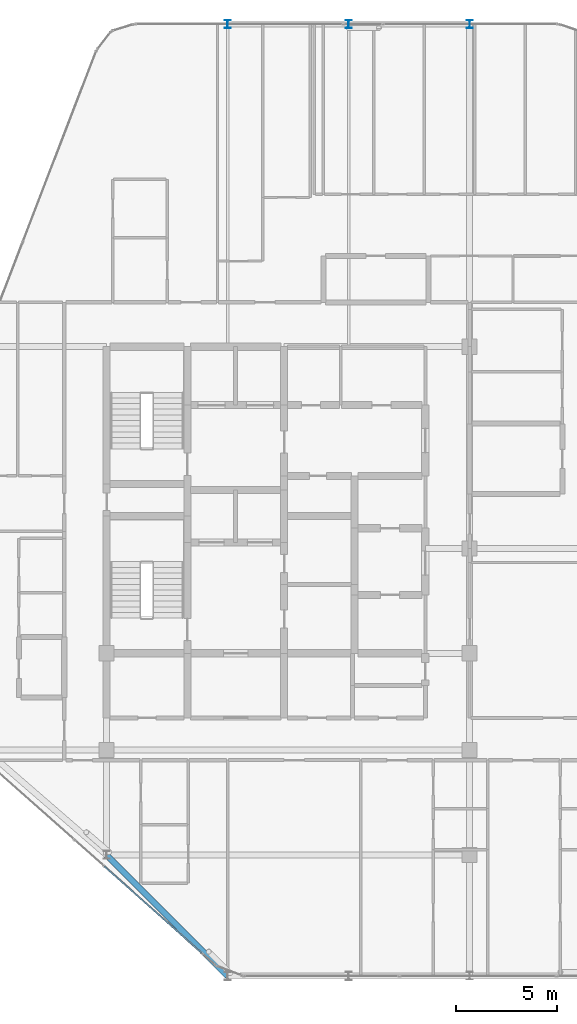
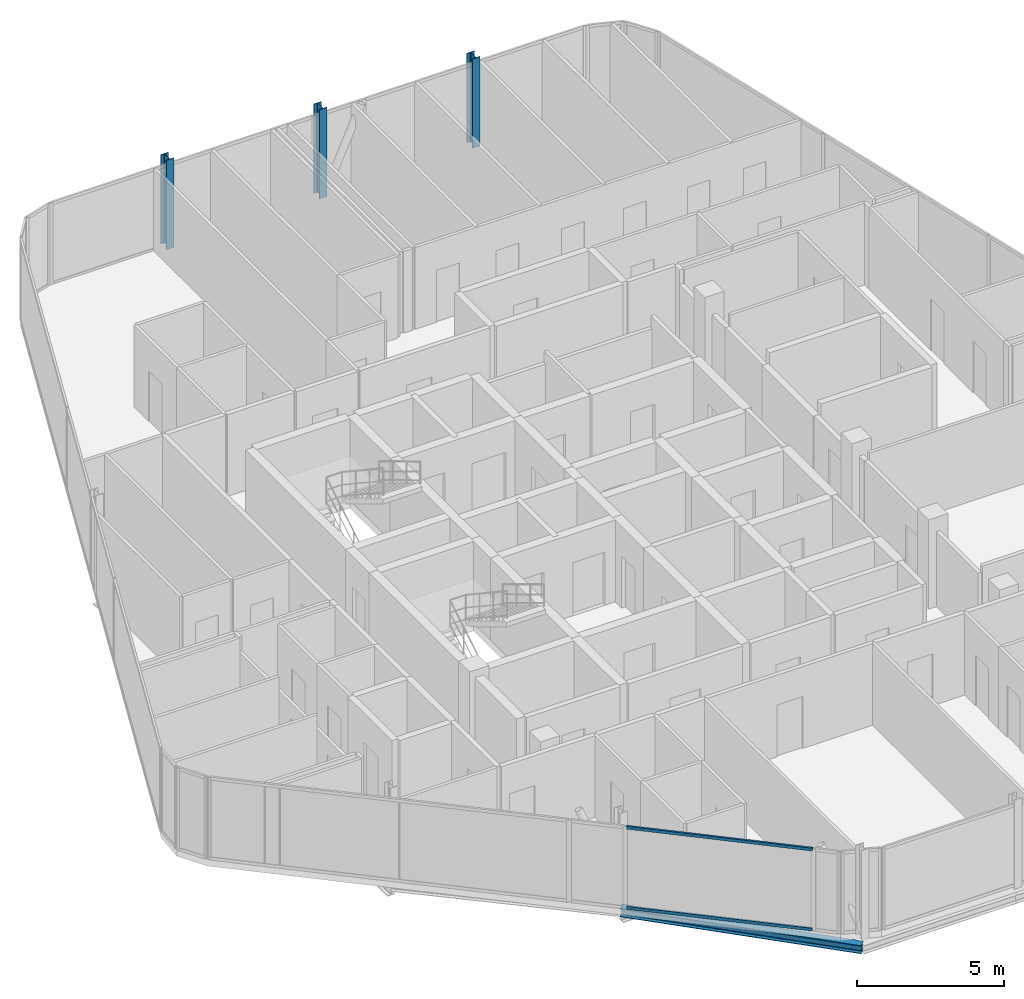
# One storey, part 2 of 31: 3 columns, 2 members, 1 beam, 1 element without a shape of its own.
"""IFC4 building model written with IfcOpenShell, lengths in metres."""

import ifcopenshell
import ifcopenshell.guid

model = None  # the IFC model being written
_history = None  # IfcOwnerHistory: only IFC2X3 demands one
_inside = {}  # id of a spatial element -> (the spatial element, [elements in it])
_under = {}  # id of a project, library or spatial element -> (it, [spatial elements below it])
_declared = {}  # id of a project -> (the project, [libraries it declares])
_typed = {}  # id of a type object -> (the type object, [elements of that type])
_made_of = {}  # id of a material, layer set ... -> (it, [elements and type objects made of it])


def new_model(schema):
    """Start an empty IFC model of exactly this schema.

    Asked for "IFC4X3", IfcOpenShell would pick the latest addendum, in which some entities
    have other attributes; the version numbers below select the first issue.
    IFC2X3 requires an IfcOwnerHistory on every rooted entity: one is made here for all.
    """
    global model, _history
    if schema == "IFC4X3":
        model = ifcopenshell.file(schema_version=(4, 3, 0, 0))
    else:
        model = ifcopenshell.file(schema=schema)
    _inside.clear()
    _under.clear()
    _declared.clear()
    _typed.clear()
    _made_of.clear()
    _history = None
    if model.schema == "IFC2X3":
        org = make("IfcOrganization", Name="unknown")
        user = make(
            "IfcPersonAndOrganization",
            ThePerson=make("IfcPerson", FamilyName="unknown"),
            TheOrganization=org,
        )
        app = make(
            "IfcApplication",
            ApplicationDeveloper=org,
            Version="unknown",
            ApplicationFullName="unknown",
            ApplicationIdentifier="unknown",
        )
        _history = make(
            "IfcOwnerHistory",
            OwningUser=user,
            OwningApplication=app,
            ChangeAction="ADDED",
            CreationDate=0,
        )
    return model


def make(cls, **values):
    """One entity of the class cls with the attributes given. An attribute that is None is left unset."""
    return model.create_entity(
        cls, **{name: value for name, value in values.items() if value is not None}
    )


def rooted(cls, **values):
    """An entity with a GlobalId (a new one), such as an element, a storey or a relation."""
    return make(cls, GlobalId=ifcopenshell.guid.new(), OwnerHistory=_history, **values)


def si_unit(unit_type, name, prefix=None):
    """IfcSIUnit, for example si_unit("LENGTHUNIT", "METRE", prefix="MILLI")."""
    return make("IfcSIUnit", UnitType=unit_type, Prefix=prefix, Name=name)


def assignment(units):
    """IfcUnitAssignment: the units of a project."""
    return None if units is None else make("IfcUnitAssignment", Units=units)


def point(xyz):
    """IfcCartesianPoint."""
    return None if xyz is None else make("IfcCartesianPoint", Coordinates=xyz)


def direction(xyz):
    """IfcDirection."""
    return None if xyz is None else make("IfcDirection", DirectionRatios=xyz)


def frame(location, z_axis=None, x_axis=None):
    """IfcAxis2Placement3D, a coordinate frame: its origin and axes. An axis left out is left unset."""
    return make(
        "IfcAxis2Placement3D",
        Location=point(location),
        Axis=direction(z_axis),
        RefDirection=direction(x_axis),
    )


def frame_2d(location, x_axis=None):
    """IfcAxis2Placement2D, a coordinate frame in the plane: its origin and x axis."""
    return make(
        "IfcAxis2Placement2D", Location=point(location), RefDirection=direction(x_axis)
    )


def origin():
    """The frame at (0, 0, 0) with its axes left unset."""
    return frame((0.0, 0.0, 0.0))


def origin_2d():
    """The frame at (0, 0) in the plane with its x axis left unset."""
    return frame_2d((0.0, 0.0))


def place(relative_to, where):
    """IfcLocalPlacement: puts the frame where relative to a parent placement (None: the world)."""
    return make(
        "IfcLocalPlacement", PlacementRelTo=relative_to, RelativePlacement=where
    )


def context(
    kind, dimensions, precision=None, world=None, true_north=None, identifier=None
):
    """IfcGeometricRepresentationContext, for example the 3D "Model" context."""
    return make(
        "IfcGeometricRepresentationContext",
        ContextIdentifier=identifier,
        ContextType=kind,
        CoordinateSpaceDimension=dimensions,
        Precision=precision,
        WorldCoordinateSystem=world,
        TrueNorth=true_north,
    )


def subcontext(parent, identifier, kind, view, scale=None):
    """IfcGeometricRepresentationSubContext, for example "Body" below "Model"."""
    return make(
        "IfcGeometricRepresentationSubContext",
        ContextIdentifier=identifier,
        ContextType=kind,
        ParentContext=parent,
        TargetScale=scale,
        TargetView=view,
    )


def project(units=None, contexts=None):
    """IfcProject with its units and contexts."""
    return rooted(
        "IfcProject",
        Name="project",
        RepresentationContexts=contexts,
        UnitsInContext=assignment(units),
    )


def spatial(cls, under=None, at=None, **own):
    """A site, building, storey or space (cls), placed at a placement, below another one or the project."""
    s = rooted(cls, ObjectPlacement=at, **own)
    if under is not None:
        _under.setdefault(under.id(), (under, []))[1].append(s)
    return s


def profile(cls, at=None, kind="AREA", **sizes):
    """A parametric profile (cls). Its sizes go by their IFC names, for example OverallWidth=200.0."""
    return make(cls, ProfileType=kind, Position=at, **sizes)


def hollow_rectangle(**sizes):
    """IfcRectangleHollowProfileDef."""
    return profile("IfcRectangleHollowProfileDef", **sizes)


def i_section(**sizes):
    """IfcIShapeProfileDef."""
    return profile("IfcIShapeProfileDef", **sizes)


def extrude(swept, where, along, depth):
    """IfcExtrudedAreaSolid: the profile swept, set in the frame where, extruded along a direction by depth."""
    return make(
        "IfcExtrudedAreaSolid",
        SweptArea=swept,
        Position=where,
        ExtrudedDirection=direction(along),
        Depth=depth,
    )


def shape(context_of_items, identifier, shape_type, items):
    """IfcShapeRepresentation: the items that make up one representation, for example the "Body"."""
    return make(
        "IfcShapeRepresentation",
        ContextOfItems=context_of_items,
        RepresentationIdentifier=identifier,
        RepresentationType=shape_type,
        Items=items,
    )


def material(Name=None, Category=None):
    """IfcMaterial."""
    return make("IfcMaterial", Name=Name, Category=Category)


def layer(
    of_material, thickness, ventilated=None, Name=None, Category=None, Priority=None
):
    """IfcMaterialLayer: one layer of a wall or slab, of a material (None: an air gap)."""
    return make(
        "IfcMaterialLayer",
        Material=of_material,
        LayerThickness=thickness,
        IsVentilated=ventilated,
        Name=Name,
        Category=Category,
        Priority=Priority,
    )


def layer_set(layers, Name=None):
    """IfcMaterialLayerSet."""
    return make("IfcMaterialLayerSet", MaterialLayers=layers, LayerSetName=Name)


def material_profile(
    of_material, cross_section, Name=None, Category=None, Priority=None
):
    """IfcMaterialProfile: a cross section and its material."""
    return make(
        "IfcMaterialProfile",
        Name=Name,
        Material=of_material,
        Profile=cross_section,
        Priority=Priority,
        Category=Category,
    )


def profile_set(profiles, Name=None, composite=None):
    """IfcMaterialProfileSet."""
    return make(
        "IfcMaterialProfileSet",
        Name=Name,
        MaterialProfiles=profiles,
        CompositeProfile=composite,
    )


def made_of(thing, what):
    """Note that an element or type object is made of a material, layer set ...; save() writes the relation."""
    if what is not None:
        _made_of.setdefault(what.id(), (what, []))[1].append(thing)
    return thing


def type_object(cls, material=None, **own):
    """A type object (cls), such as IfcWallType, which elements share."""
    return made_of(rooted(cls, **own), material)


def element(
    cls,
    number,
    at=None,
    inside=None,
    cuts=None,
    type_object=None,
    material=None,
    context=None,
    identifier="Body",
    shape_type=None,
    held_by="IfcProductDefinitionShape",
    body=None,
    shapes=None,
    **own,
):
    """One element of the class cls, such as IfcWall. Its Tag is "e" and its number.

    at: its placement. inside: the storey or other place that contains it. cuts: it is an
    opening in that element (IfcRelVoidsElement). A single representation is given by context,
    identifier, shape_type and body (its items); several are given by shapes. held_by: the class
    of the entity that holds the representations. save() writes the other relations.
    """
    e = rooted(cls, Tag="e%d" % number, ObjectPlacement=at, **own)
    if body is not None:
        shapes = [shape(context, identifier, shape_type, body)]
    if shapes is not None:
        e.Representation = make(held_by, Representations=shapes)
    if inside is not None:
        _inside.setdefault(inside.id(), (inside, []))[1].append(e)
    if cuts is not None:
        rooted(
            "IfcRelVoidsElement", RelatingBuildingElement=cuts, RelatedOpeningElement=e
        )
    if type_object is not None:
        _typed.setdefault(type_object.id(), (type_object, []))[1].append(e)
    return made_of(e, material)


def aggregate(whole, parts):
    """IfcRelAggregates: a whole, such as a stair, and the parts it consists of."""
    return rooted("IfcRelAggregates", RelatingObject=whole, RelatedObjects=parts)


def save(model, path):
    """Write the relations noted so far, then the file.

    IfcRelAggregates (storeys below a building ...), IfcRelContainedInSpatialStructure (elements
    in a storey), IfcRelDefinesByType, IfcRelAssociatesMaterial and IfcRelDeclares: one each for
    every whole, place, type object, material and project.
    """
    for whole, parts in _under.values():
        aggregate(whole, parts)
    for where, things in _inside.values():
        rooted(
            "IfcRelContainedInSpatialStructure",
            RelatedElements=things,
            RelatingStructure=where,
        )
    for kind, things in _typed.values():
        rooted("IfcRelDefinesByType", RelatedObjects=things, RelatingType=kind)
    for what, things in _made_of.values():
        rooted("IfcRelAssociatesMaterial", RelatedObjects=things, RelatingMaterial=what)
    for by, libraries in _declared.values():
        rooted("IfcRelDeclares", RelatingContext=by, RelatedDefinitions=libraries)
    model.write(path)


model = new_model("IFC4")

# Units and contexts
model_context = context("Model", 3, precision=1e-05, world=origin(), true_north=direction((0.0, 1.0)))
body_context = subcontext(model_context, "Body", "Model", "MODEL_VIEW")
ifc_project = project(units=[si_unit("LENGTHUNIT", "METRE"), si_unit("AREAUNIT", "SQUARE_METRE"), si_unit("VOLUMEUNIT", "CUBIC_METRE"), si_unit("PLANEANGLEUNIT", "RADIAN"), si_unit("MASSUNIT", "GRAM", prefix="KILO")], contexts=[model_context])

# Site, building, storey
site_placement = place(None, origin())
site = spatial("IfcSite", under=ifc_project, at=site_placement, CompositionType="ELEMENT")
building_placement = place(site_placement, origin())
building = spatial("IfcBuilding", under=site, at=building_placement, Name="Keshet Zoharim Tower", CompositionType="ELEMENT")
storey_placement = place(building_placement, frame((0.0, 0.0, 276.89990234375)))
storey = spatial("IfcBuildingStorey", under=building, at=storey_placement, Name="L69", CompositionType="ELEMENT", Elevation=276.89990234375)

# Columns
ifc_material_1 = material(Name="Steel S355", Category="steel")
ifc_material_profile_1 = material_profile(ifc_material_1, i_section(OverallWidth=0.300048828125, OverallDepth=0.39990234375, WebThickness=0.013427734375, FlangeThickness=0.02392578125, FilletRadius=0.027099609375, at=origin_2d()), Name="HEB400")
ifc_profile_set_1 = profile_set([ifc_material_profile_1], Name="Steel S355")
column_type = type_object("IfcColumnType", Name="COL-HEB400", PredefinedType="COLUMN", material=ifc_profile_set_1)
for number, where, z_axis, x_axis, name in (
    (1, (21.0, 53.89990234375, 0.0), (0.0, 0.0, 1.0), (1.0, 0.0, 0.0), "L69 Column 4L"),
    (2, (27.0, 53.89990234375, 0.0), (0.0, 0.0, 1.0), (1.0, 0.0, 0.0), "L69 Column 5L"),
    (3, (33.0, 53.89990234375, 0.0), (0.0, 0.0, 1.0), (1.0, 0.0, 0.0), "L69 Column 6L"),
):
    element("IfcColumn", number, at=place(storey_placement, frame(where, z_axis=z_axis, x_axis=x_axis)), inside=storey, type_object=column_type, Name=name, PredefinedType="COLUMN", context=body_context, shape_type="SweptSolid", body=[
        extrude(i_section(OverallWidth=0.300048828125, OverallDepth=0.39990234375, WebThickness=0.013427734375, FlangeThickness=0.02392578125, FilletRadius=0.027099609375, at=origin_2d()), origin(), (0.0, 0.0, 1.0), 3.7001953125),
    ])

# Beam
ifc_material_profile_2 = material_profile(ifc_material_1, i_section(OverallWidth=0.300048828125, OverallDepth=0.340087890625, WebThickness=0.011962890625, FlangeThickness=0.021484375, FilletRadius=0.027099609375, at=origin_2d()), Name="HEB340")
ifc_profile_set_2 = profile_set([ifc_material_profile_2], Name="Steel S355")
beam_type = type_object("IfcBeamType", Name="BM-SPN-HB340", PredefinedType="SPANDREL", material=ifc_profile_set_2)
beam_placement = place(storey_placement, frame((21.0, 6.699951171875, -0.47998046875), z_axis=(-0.707106781187, 0.707106781187, 0.0), x_axis=(-0.707106781187, -0.707106781187, 0.0)))
element("IfcBeam", 4, at=beam_placement, inside=storey, type_object=beam_type, Name="L69 Perimeter Spandrel Beam 01", PredefinedType="SPANDREL", context=body_context, shape_type="SweptSolid", body=[
    extrude(i_section(OverallWidth=0.300048828125, OverallDepth=0.340087890625, WebThickness=0.011962890625, FlangeThickness=0.021484375, FilletRadius=0.027099609375, at=origin_2d()), origin(), (0.0, 0.0, 1.0), 8.4853515625),
])

# Curtain wall, members
ifc_material_2 = material(Name="Aluminium 6063-T6", Category="aluminium")
ifc_layer = layer(ifc_material_2, 0.260009765625)
ifc_layer_set = layer_set([ifc_layer], Name="Aluminium 6063-T6")
curtain_wall_type = type_object("IfcCurtainWallType", Name="CW-SYS-06", PredefinedType="NOTDEFINED", material=ifc_layer_set)
curtain_wall_placement = place(storey_placement, origin())
curtain_wall = element("IfcCurtainWall", 5, at=curtain_wall_placement, inside=storey, type_object=curtain_wall_type, Name="L69 Unitised Curtain Wall 16 Part 2", PredefinedType="NOTDEFINED")
ifc_material_profile_3 = material_profile(ifc_material_2, hollow_rectangle(XDim=0.074951171875, YDim=0.1201171875, WallThickness=0.00390625, at=origin_2d()), Name="TRN-75x120")
ifc_profile_set_3 = profile_set([ifc_material_profile_3], Name="Aluminium 6063-T6")
member_type = type_object("IfcMemberType", Name="CWT-T12", PredefinedType="USERDEFINED", material=ifc_profile_set_3)
member_1_placement = place(storey_placement, frame((19.71240234375, 7.8447265625, 0.03515625), z_axis=(-0.74742601709, 0.664345052647, 0.0), x_axis=(-0.664345052647, -0.74742601709, 0.0)))
member_1 = element("IfcMember", 6, at=member_1_placement, type_object=member_type, Name="CW-06 transom 1.1", ObjectType="TRANSOM", PredefinedType="USERDEFINED", context=body_context, shape_type="SweptSolid", body=[
    extrude(hollow_rectangle(XDim=0.074951171875, YDim=0.1201171875, WallThickness=0.00390625, at=origin_2d()), origin(), (0.0, 0.0, 1.0), 6.453125),
])
member_2_placement = place(storey_placement, frame((19.71240234375, 7.8447265625, 3.35498046875), z_axis=(-0.74742601709, 0.664345052647, 0.0), x_axis=(-0.664345052647, -0.74742601709, 0.0)))
member_2 = element("IfcMember", 7, at=member_2_placement, type_object=member_type, Name="CW-06 transom 1.2", ObjectType="TRANSOM", PredefinedType="USERDEFINED", context=body_context, shape_type="SweptSolid", body=[
    extrude(hollow_rectangle(XDim=0.074951171875, YDim=0.1201171875, WallThickness=0.00390625, at=origin_2d()), origin(), (0.0, 0.0, 1.0), 6.453125),
])
aggregate(curtain_wall, [member_1, member_2])

save(model, "model.ifc")
